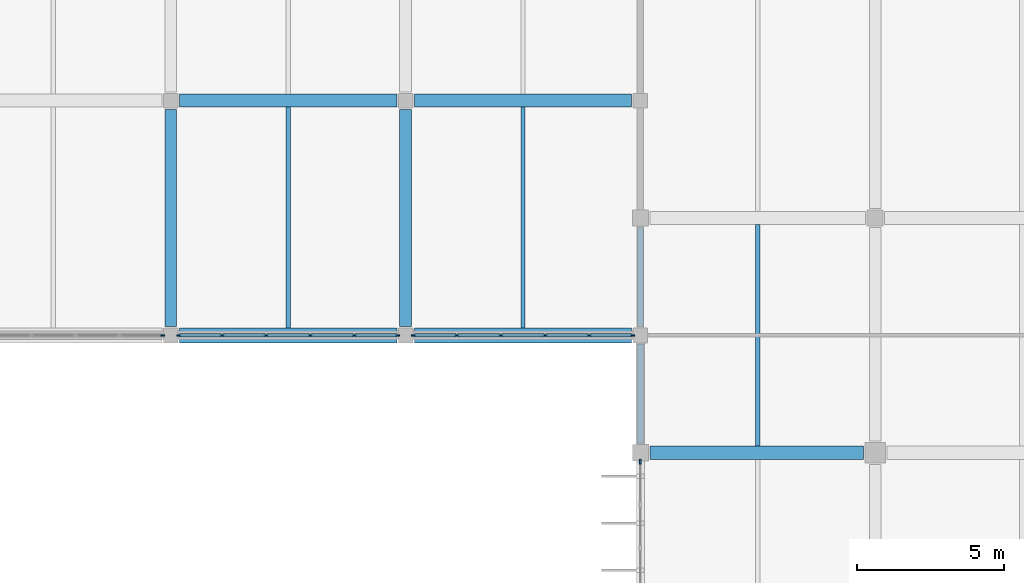
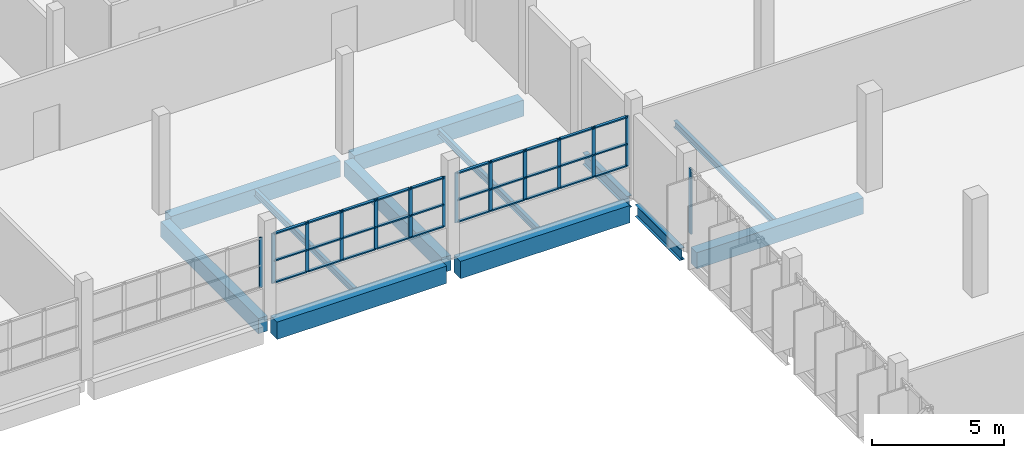
# One storey, part 47 of 93: 44 members, 12 beams, 4 elements without a shape of their own.
"""IFC4 building model written with IfcOpenShell, lengths in metres."""

from ifc_helpers import new_model, si_unit, direction, frame, origin, origin_2d, place, context, subcontext, project, spatial, rectangle, i_section, extrude, material, layer, layer_set, material_profile, profile_set, type_object, element, aggregate, save


model = new_model("IFC4")

# Units and contexts
model_context = context("Model", 3, precision=1e-05, world=origin(), true_north=direction((0.0, 1.0)))
body_context = subcontext(model_context, "Body", "Model", "MODEL_VIEW")
ifc_project = project(units=[si_unit("LENGTHUNIT", "METRE"), si_unit("AREAUNIT", "SQUARE_METRE"), si_unit("VOLUMEUNIT", "CUBIC_METRE"), si_unit("PLANEANGLEUNIT", "RADIAN"), si_unit("MASSUNIT", "GRAM", prefix="KILO")], contexts=[model_context])

# Site, building, storey
site_placement = place(None, origin())
site = spatial("IfcSite", under=ifc_project, at=site_placement, CompositionType="ELEMENT")
building_placement = place(site_placement, origin())
building = spatial("IfcBuilding", under=site, at=building_placement, Name="Drelvana Railside Aquatics Centre", CompositionType="ELEMENT")
storey_placement = place(building_placement, frame((0.0, 0.0, 5.39990234375)))
storey = spatial("IfcBuildingStorey", under=building, at=storey_placement, Name="L01", CompositionType="ELEMENT", Elevation=5.39990234375)

# Curtain wall, member
ifc_material_1 = material(Name="Bronze-anodised aluminium curtain wall", Category="aluminium")
ifc_layer_1 = layer(ifc_material_1, 0.1650390625, Name="Bronze-anodised aluminium curtain wall")
ifc_layer_set_1 = layer_set([ifc_layer_1], Name="Bronze-anodised aluminium curtain wall")
curtain_wall_type_1 = type_object("IfcCurtainWallType", Name="CW-Z5-COURT", PredefinedType="NOTDEFINED", material=ifc_layer_set_1)
curtain_wall_1_placement = place(storey_placement, origin())
curtain_wall_1 = element("IfcCurtainWall", 1, at=curtain_wall_1_placement, inside=storey, type_object=curtain_wall_type_1, Name="Curtain wall CW-05-122", PredefinedType="NOTDEFINED")
ifc_material_2 = material(Name="Bronze-anodised aluminium 6063-T6", Category="aluminium")
ifc_material_profile_1 = material_profile(ifc_material_2, rectangle(XDim=0.06005859375, YDim=0.14990234375, at=origin_2d()), Name="ALU-M 60x150")
ifc_profile_set_1 = profile_set([ifc_material_profile_1], Name="Bronze-anodised aluminium 6063-T6")
member_type_1 = type_object("IfcMemberType", Name="CW-Z5-COURT-MUL", PredefinedType="MULLION", material=ifc_profile_set_1)
member_1_placement = place(storey_placement, frame((127.72607421875, 84.0, 1.39404296875), z_axis=(0.0, 0.0, 1.0), x_axis=(0.0, 1.0, 0.0)))
member_1 = element("IfcMember", 2, at=member_1_placement, type_object=member_type_1, Name="CW-05 mullion 6", PredefinedType="MULLION", context=body_context, shape_type="SweptSolid", body=[
    extrude(rectangle(XDim=0.06005859375, YDim=0.14990234375, at=origin_2d()), origin(), (0.0, 0.0, 1.0), 2.30615234375),
])
aggregate(curtain_wall_1, [member_1])

# Curtain wall, members
curtain_wall_2_placement = place(storey_placement, origin())
curtain_wall_2 = element("IfcCurtainWall", 3, at=curtain_wall_2_placement, inside=storey, type_object=curtain_wall_type_1, Name="Curtain wall CW-05-124", PredefinedType="NOTDEFINED")
member_2_placement = place(storey_placement, frame((128.27392578125, 84.0, 1.39404296875), z_axis=(0.0, 0.0, 1.0), x_axis=(0.0, 1.0, 0.0)))
member_2 = element("IfcMember", 4, at=member_2_placement, type_object=member_type_1, Name="CW-05 mullion 1", PredefinedType="MULLION", context=body_context, shape_type="SweptSolid", body=[
    extrude(rectangle(XDim=0.06005859375, YDim=0.14990234375, at=origin_2d()), origin(), (0.0, 0.0, 1.0), 2.30615234375),
])
member_3_placement = place(storey_placement, frame((129.746337890625, 84.0, 1.39404296875), z_axis=(0.0, 0.0, 1.0), x_axis=(0.0, 1.0, 0.0)))
member_3 = element("IfcMember", 5, at=member_3_placement, type_object=member_type_1, Name="CW-05 mullion 2", PredefinedType="MULLION", context=body_context, shape_type="SweptSolid", body=[
    extrude(rectangle(XDim=0.06005859375, YDim=0.14990234375, at=origin_2d()), origin(), (0.0, 0.0, 1.0), 2.30615234375),
])
member_4_placement = place(storey_placement, frame((131.248779296875, 84.0, 1.39404296875), z_axis=(0.0, 0.0, 1.0), x_axis=(0.0, 1.0, 0.0)))
member_4 = element("IfcMember", 6, at=member_4_placement, type_object=member_type_1, Name="CW-05 mullion 3", PredefinedType="MULLION", context=body_context, shape_type="SweptSolid", body=[
    extrude(rectangle(XDim=0.06005859375, YDim=0.14990234375, at=origin_2d()), origin(), (0.0, 0.0, 1.0), 2.30615234375),
])
member_5_placement = place(storey_placement, frame((132.751220703125, 84.0, 1.39404296875), z_axis=(0.0, 0.0, 1.0), x_axis=(0.0, 1.0, 0.0)))
member_5 = element("IfcMember", 7, at=member_5_placement, type_object=member_type_1, Name="CW-05 mullion 4", PredefinedType="MULLION", context=body_context, shape_type="SweptSolid", body=[
    extrude(rectangle(XDim=0.06005859375, YDim=0.14990234375, at=origin_2d()), origin(), (0.0, 0.0, 1.0), 2.30615234375),
])
member_6_placement = place(storey_placement, frame((134.253662109375, 84.0, 1.39404296875), z_axis=(0.0, 0.0, 1.0), x_axis=(0.0, 1.0, 0.0)))
member_6 = element("IfcMember", 8, at=member_6_placement, type_object=member_type_1, Name="CW-05 mullion 5", PredefinedType="MULLION", context=body_context, shape_type="SweptSolid", body=[
    extrude(rectangle(XDim=0.06005859375, YDim=0.14990234375, at=origin_2d()), origin(), (0.0, 0.0, 1.0), 2.30615234375),
])
member_7_placement = place(storey_placement, frame((135.72607421875, 84.0, 1.39404296875), z_axis=(0.0, 0.0, 1.0), x_axis=(0.0, 1.0, 0.0)))
member_7 = element("IfcMember", 9, at=member_7_placement, type_object=member_type_1, Name="CW-05 mullion 6", PredefinedType="MULLION", context=body_context, shape_type="SweptSolid", body=[
    extrude(rectangle(XDim=0.06005859375, YDim=0.14990234375, at=origin_2d()), origin(), (0.0, 0.0, 1.0), 2.30615234375),
])

curtain_wall_3_placement = place(storey_placement, origin())
curtain_wall_3 = element("IfcCurtainWall", 10, at=curtain_wall_3_placement, inside=storey, type_object=curtain_wall_type_1, Name="Curtain wall CW-05-126", PredefinedType="NOTDEFINED")
member_8_placement = place(storey_placement, frame((136.27392578125, 84.0, 1.39404296875), z_axis=(0.0, 0.0, 1.0), x_axis=(0.0, 1.0, 0.0)))
member_8 = element("IfcMember", 11, at=member_8_placement, type_object=member_type_1, Name="CW-05 mullion 1", PredefinedType="MULLION", context=body_context, shape_type="SweptSolid", body=[
    extrude(rectangle(XDim=0.06005859375, YDim=0.14990234375, at=origin_2d()), origin(), (0.0, 0.0, 1.0), 2.30615234375),
])
member_9_placement = place(storey_placement, frame((137.746337890625, 84.0, 1.39404296875), z_axis=(0.0, 0.0, 1.0), x_axis=(0.0, 1.0, 0.0)))
member_9 = element("IfcMember", 12, at=member_9_placement, type_object=member_type_1, Name="CW-05 mullion 2", PredefinedType="MULLION", context=body_context, shape_type="SweptSolid", body=[
    extrude(rectangle(XDim=0.06005859375, YDim=0.14990234375, at=origin_2d()), origin(), (0.0, 0.0, 1.0), 2.30615234375),
])
member_10_placement = place(storey_placement, frame((139.248779296875, 84.0, 1.39404296875), z_axis=(0.0, 0.0, 1.0), x_axis=(0.0, 1.0, 0.0)))
member_10 = element("IfcMember", 13, at=member_10_placement, type_object=member_type_1, Name="CW-05 mullion 3", PredefinedType="MULLION", context=body_context, shape_type="SweptSolid", body=[
    extrude(rectangle(XDim=0.06005859375, YDim=0.14990234375, at=origin_2d()), origin(), (0.0, 0.0, 1.0), 2.30615234375),
])
member_11_placement = place(storey_placement, frame((140.751220703125, 84.0, 1.39404296875), z_axis=(0.0, 0.0, 1.0), x_axis=(0.0, 1.0, 0.0)))
member_11 = element("IfcMember", 14, at=member_11_placement, type_object=member_type_1, Name="CW-05 mullion 4", PredefinedType="MULLION", context=body_context, shape_type="SweptSolid", body=[
    extrude(rectangle(XDim=0.06005859375, YDim=0.14990234375, at=origin_2d()), origin(), (0.0, 0.0, 1.0), 2.30615234375),
])
member_12_placement = place(storey_placement, frame((142.253662109375, 84.0, 1.39404296875), z_axis=(0.0, 0.0, 1.0), x_axis=(0.0, 1.0, 0.0)))
member_12 = element("IfcMember", 15, at=member_12_placement, type_object=member_type_1, Name="CW-05 mullion 5", PredefinedType="MULLION", context=body_context, shape_type="SweptSolid", body=[
    extrude(rectangle(XDim=0.06005859375, YDim=0.14990234375, at=origin_2d()), origin(), (0.0, 0.0, 1.0), 2.30615234375),
])
member_13_placement = place(storey_placement, frame((143.72607421875, 84.0, 1.39404296875), z_axis=(0.0, 0.0, 1.0), x_axis=(0.0, 1.0, 0.0)))
member_13 = element("IfcMember", 16, at=member_13_placement, type_object=member_type_1, Name="CW-05 mullion 6", PredefinedType="MULLION", context=body_context, shape_type="SweptSolid", body=[
    extrude(rectangle(XDim=0.06005859375, YDim=0.14990234375, at=origin_2d()), origin(), (0.0, 0.0, 1.0), 2.30615234375),
])

# Member
ifc_material_profile_2 = material_profile(ifc_material_2, rectangle(XDim=0.1201171875, YDim=0.06005859375, at=origin_2d()), Name="ALU-T 60x120")
ifc_profile_set_2 = profile_set([ifc_material_profile_2], Name="Bronze-anodised aluminium 6063-T6")
member_type_2 = type_object("IfcMemberType", Name="CW-Z5-COURT-TRN", PredefinedType="USERDEFINED", material=ifc_profile_set_2)
member_14_placement = place(storey_placement, frame((128.299072265625, 84.0, 1.424072265625), z_axis=(1.0, 0.0, 0.0), x_axis=(0.0, 1.0, 0.0)))
member_14 = element("IfcMember", 17, at=member_14_placement, type_object=member_type_2, Name="CW-05 transom 1.1", ObjectType="TRANSOM", PredefinedType="USERDEFINED", context=body_context, shape_type="SweptSolid", body=[
    extrude(rectangle(XDim=0.1201171875, YDim=0.06005859375, at=origin_2d()), origin(), (0.0, 0.0, 1.0), 1.42236328125),
])

member_15_placement = place(storey_placement, frame((128.299072265625, 84.0, 2.43212890625), z_axis=(1.0, 0.0, 0.0), x_axis=(0.0, 1.0, 0.0)))
member_15 = element("IfcMember", 18, at=member_15_placement, type_object=member_type_2, Name="CW-05 transom 1.2", ObjectType="TRANSOM", PredefinedType="USERDEFINED", context=body_context, shape_type="SweptSolid", body=[
    extrude(rectangle(XDim=0.1201171875, YDim=0.06005859375, at=origin_2d()), origin(), (0.0, 0.0, 1.0), 1.42236328125),
])

member_16_placement = place(storey_placement, frame((128.299072265625, 84.0, 3.670166015625), z_axis=(1.0, 0.0, 0.0), x_axis=(0.0, 1.0, 0.0)))
member_16 = element("IfcMember", 19, at=member_16_placement, type_object=member_type_2, Name="CW-05 transom 1.3", ObjectType="TRANSOM", PredefinedType="USERDEFINED", context=body_context, shape_type="SweptSolid", body=[
    extrude(rectangle(XDim=0.1201171875, YDim=0.06005859375, at=origin_2d()), origin(), (0.0, 0.0, 1.0), 1.42236328125),
])

member_17_placement = place(storey_placement, frame((129.771484375, 84.0, 1.424072265625), z_axis=(1.0, 0.0, 0.0), x_axis=(0.0, 1.0, 0.0)))
member_17 = element("IfcMember", 20, at=member_17_placement, type_object=member_type_2, Name="CW-05 transom 2.1", ObjectType="TRANSOM", PredefinedType="USERDEFINED", context=body_context, shape_type="SweptSolid", body=[
    extrude(rectangle(XDim=0.1201171875, YDim=0.06005859375, at=origin_2d()), origin(), (0.0, 0.0, 1.0), 1.452392578125),
])

member_18_placement = place(storey_placement, frame((129.771484375, 84.0, 2.43212890625), z_axis=(1.0, 0.0, 0.0), x_axis=(0.0, 1.0, 0.0)))
member_18 = element("IfcMember", 21, at=member_18_placement, type_object=member_type_2, Name="CW-05 transom 2.2", ObjectType="TRANSOM", PredefinedType="USERDEFINED", context=body_context, shape_type="SweptSolid", body=[
    extrude(rectangle(XDim=0.1201171875, YDim=0.06005859375, at=origin_2d()), origin(), (0.0, 0.0, 1.0), 1.452392578125),
])

member_19_placement = place(storey_placement, frame((129.771484375, 84.0, 3.670166015625), z_axis=(1.0, 0.0, 0.0), x_axis=(0.0, 1.0, 0.0)))
member_19 = element("IfcMember", 22, at=member_19_placement, type_object=member_type_2, Name="CW-05 transom 2.3", ObjectType="TRANSOM", PredefinedType="USERDEFINED", context=body_context, shape_type="SweptSolid", body=[
    extrude(rectangle(XDim=0.1201171875, YDim=0.06005859375, at=origin_2d()), origin(), (0.0, 0.0, 1.0), 1.452392578125),
])

member_20_placement = place(storey_placement, frame((131.273681640625, 84.0, 1.424072265625), z_axis=(1.0, 0.0, 0.0), x_axis=(0.0, 1.0, 0.0)))
member_20 = element("IfcMember", 23, at=member_20_placement, type_object=member_type_2, Name="CW-05 transom 3.1", ObjectType="TRANSOM", PredefinedType="USERDEFINED", context=body_context, shape_type="SweptSolid", body=[
    extrude(rectangle(XDim=0.1201171875, YDim=0.06005859375, at=origin_2d()), origin(), (0.0, 0.0, 1.0), 1.45263671875),
])

member_21_placement = place(storey_placement, frame((131.273681640625, 84.0, 2.43212890625), z_axis=(1.0, 0.0, 0.0), x_axis=(0.0, 1.0, 0.0)))
member_21 = element("IfcMember", 24, at=member_21_placement, type_object=member_type_2, Name="CW-05 transom 3.2", ObjectType="TRANSOM", PredefinedType="USERDEFINED", context=body_context, shape_type="SweptSolid", body=[
    extrude(rectangle(XDim=0.1201171875, YDim=0.06005859375, at=origin_2d()), origin(), (0.0, 0.0, 1.0), 1.45263671875),
])

member_22_placement = place(storey_placement, frame((131.273681640625, 84.0, 3.670166015625), z_axis=(1.0, 0.0, 0.0), x_axis=(0.0, 1.0, 0.0)))
member_22 = element("IfcMember", 25, at=member_22_placement, type_object=member_type_2, Name="CW-05 transom 3.3", ObjectType="TRANSOM", PredefinedType="USERDEFINED", context=body_context, shape_type="SweptSolid", body=[
    extrude(rectangle(XDim=0.1201171875, YDim=0.06005859375, at=origin_2d()), origin(), (0.0, 0.0, 1.0), 1.45263671875),
])

member_23_placement = place(storey_placement, frame((132.776123046875, 84.0, 1.424072265625), z_axis=(1.0, 0.0, 0.0), x_axis=(0.0, 1.0, 0.0)))
member_23 = element("IfcMember", 26, at=member_23_placement, type_object=member_type_2, Name="CW-05 transom 4.1", ObjectType="TRANSOM", PredefinedType="USERDEFINED", context=body_context, shape_type="SweptSolid", body=[
    extrude(rectangle(XDim=0.1201171875, YDim=0.06005859375, at=origin_2d()), origin(), (0.0, 0.0, 1.0), 1.452392578125),
])

member_24_placement = place(storey_placement, frame((132.776123046875, 84.0, 2.43212890625), z_axis=(1.0, 0.0, 0.0), x_axis=(0.0, 1.0, 0.0)))
member_24 = element("IfcMember", 27, at=member_24_placement, type_object=member_type_2, Name="CW-05 transom 4.2", ObjectType="TRANSOM", PredefinedType="USERDEFINED", context=body_context, shape_type="SweptSolid", body=[
    extrude(rectangle(XDim=0.1201171875, YDim=0.06005859375, at=origin_2d()), origin(), (0.0, 0.0, 1.0), 1.452392578125),
])

member_25_placement = place(storey_placement, frame((132.776123046875, 84.0, 3.670166015625), z_axis=(1.0, 0.0, 0.0), x_axis=(0.0, 1.0, 0.0)))
member_25 = element("IfcMember", 28, at=member_25_placement, type_object=member_type_2, Name="CW-05 transom 4.3", ObjectType="TRANSOM", PredefinedType="USERDEFINED", context=body_context, shape_type="SweptSolid", body=[
    extrude(rectangle(XDim=0.1201171875, YDim=0.06005859375, at=origin_2d()), origin(), (0.0, 0.0, 1.0), 1.452392578125),
])

member_26_placement = place(storey_placement, frame((134.278564453125, 84.0, 1.424072265625), z_axis=(1.0, 0.0, 0.0), x_axis=(0.0, 1.0, 0.0)))
member_26 = element("IfcMember", 29, at=member_26_placement, type_object=member_type_2, Name="CW-05 transom 5.1", ObjectType="TRANSOM", PredefinedType="USERDEFINED", context=body_context, shape_type="SweptSolid", body=[
    extrude(rectangle(XDim=0.1201171875, YDim=0.06005859375, at=origin_2d()), origin(), (0.0, 0.0, 1.0), 1.42236328125),
])

member_27_placement = place(storey_placement, frame((134.278564453125, 84.0, 2.43212890625), z_axis=(1.0, 0.0, 0.0), x_axis=(0.0, 1.0, 0.0)))
member_27 = element("IfcMember", 30, at=member_27_placement, type_object=member_type_2, Name="CW-05 transom 5.2", ObjectType="TRANSOM", PredefinedType="USERDEFINED", context=body_context, shape_type="SweptSolid", body=[
    extrude(rectangle(XDim=0.1201171875, YDim=0.06005859375, at=origin_2d()), origin(), (0.0, 0.0, 1.0), 1.42236328125),
])

member_28_placement = place(storey_placement, frame((134.278564453125, 84.0, 3.670166015625), z_axis=(1.0, 0.0, 0.0), x_axis=(0.0, 1.0, 0.0)))
member_28 = element("IfcMember", 31, at=member_28_placement, type_object=member_type_2, Name="CW-05 transom 5.3", ObjectType="TRANSOM", PredefinedType="USERDEFINED", context=body_context, shape_type="SweptSolid", body=[
    extrude(rectangle(XDim=0.1201171875, YDim=0.06005859375, at=origin_2d()), origin(), (0.0, 0.0, 1.0), 1.42236328125),
])

aggregate(curtain_wall_2, [member_2, member_3, member_4, member_5, member_6, member_7, member_14, member_15, member_16, member_17, member_18, member_19, member_20, member_21, member_22, member_23, member_24, member_25, member_26, member_27, member_28])

member_29_placement = place(storey_placement, frame((136.299072265625, 84.0, 1.424072265625), z_axis=(1.0, 0.0, 0.0), x_axis=(0.0, 1.0, 0.0)))
member_29 = element("IfcMember", 32, at=member_29_placement, type_object=member_type_2, Name="CW-05 transom 1.1", ObjectType="TRANSOM", PredefinedType="USERDEFINED", context=body_context, shape_type="SweptSolid", body=[
    extrude(rectangle(XDim=0.1201171875, YDim=0.06005859375, at=origin_2d()), origin(), (0.0, 0.0, 1.0), 1.42236328125),
])

member_30_placement = place(storey_placement, frame((136.299072265625, 84.0, 2.43212890625), z_axis=(1.0, 0.0, 0.0), x_axis=(0.0, 1.0, 0.0)))
member_30 = element("IfcMember", 33, at=member_30_placement, type_object=member_type_2, Name="CW-05 transom 1.2", ObjectType="TRANSOM", PredefinedType="USERDEFINED", context=body_context, shape_type="SweptSolid", body=[
    extrude(rectangle(XDim=0.1201171875, YDim=0.06005859375, at=origin_2d()), origin(), (0.0, 0.0, 1.0), 1.42236328125),
])

member_31_placement = place(storey_placement, frame((136.299072265625, 84.0, 3.670166015625), z_axis=(1.0, 0.0, 0.0), x_axis=(0.0, 1.0, 0.0)))
member_31 = element("IfcMember", 34, at=member_31_placement, type_object=member_type_2, Name="CW-05 transom 1.3", ObjectType="TRANSOM", PredefinedType="USERDEFINED", context=body_context, shape_type="SweptSolid", body=[
    extrude(rectangle(XDim=0.1201171875, YDim=0.06005859375, at=origin_2d()), origin(), (0.0, 0.0, 1.0), 1.42236328125),
])

member_32_placement = place(storey_placement, frame((137.771484375, 84.0, 1.424072265625), z_axis=(1.0, 0.0, 0.0), x_axis=(0.0, 1.0, 0.0)))
member_32 = element("IfcMember", 35, at=member_32_placement, type_object=member_type_2, Name="CW-05 transom 2.1", ObjectType="TRANSOM", PredefinedType="USERDEFINED", context=body_context, shape_type="SweptSolid", body=[
    extrude(rectangle(XDim=0.1201171875, YDim=0.06005859375, at=origin_2d()), origin(), (0.0, 0.0, 1.0), 1.452392578125),
])

member_33_placement = place(storey_placement, frame((137.771484375, 84.0, 2.43212890625), z_axis=(1.0, 0.0, 0.0), x_axis=(0.0, 1.0, 0.0)))
member_33 = element("IfcMember", 36, at=member_33_placement, type_object=member_type_2, Name="CW-05 transom 2.2", ObjectType="TRANSOM", PredefinedType="USERDEFINED", context=body_context, shape_type="SweptSolid", body=[
    extrude(rectangle(XDim=0.1201171875, YDim=0.06005859375, at=origin_2d()), origin(), (0.0, 0.0, 1.0), 1.452392578125),
])

member_34_placement = place(storey_placement, frame((137.771484375, 84.0, 3.670166015625), z_axis=(1.0, 0.0, 0.0), x_axis=(0.0, 1.0, 0.0)))
member_34 = element("IfcMember", 37, at=member_34_placement, type_object=member_type_2, Name="CW-05 transom 2.3", ObjectType="TRANSOM", PredefinedType="USERDEFINED", context=body_context, shape_type="SweptSolid", body=[
    extrude(rectangle(XDim=0.1201171875, YDim=0.06005859375, at=origin_2d()), origin(), (0.0, 0.0, 1.0), 1.452392578125),
])

member_35_placement = place(storey_placement, frame((139.273681640625, 84.0, 1.424072265625), z_axis=(1.0, 0.0, 0.0), x_axis=(0.0, 1.0, 0.0)))
member_35 = element("IfcMember", 38, at=member_35_placement, type_object=member_type_2, Name="CW-05 transom 3.1", ObjectType="TRANSOM", PredefinedType="USERDEFINED", context=body_context, shape_type="SweptSolid", body=[
    extrude(rectangle(XDim=0.1201171875, YDim=0.06005859375, at=origin_2d()), origin(), (0.0, 0.0, 1.0), 1.45263671875),
])

member_36_placement = place(storey_placement, frame((139.273681640625, 84.0, 2.43212890625), z_axis=(1.0, 0.0, 0.0), x_axis=(0.0, 1.0, 0.0)))
member_36 = element("IfcMember", 39, at=member_36_placement, type_object=member_type_2, Name="CW-05 transom 3.2", ObjectType="TRANSOM", PredefinedType="USERDEFINED", context=body_context, shape_type="SweptSolid", body=[
    extrude(rectangle(XDim=0.1201171875, YDim=0.06005859375, at=origin_2d()), origin(), (0.0, 0.0, 1.0), 1.45263671875),
])

member_37_placement = place(storey_placement, frame((139.273681640625, 84.0, 3.670166015625), z_axis=(1.0, 0.0, 0.0), x_axis=(0.0, 1.0, 0.0)))
member_37 = element("IfcMember", 40, at=member_37_placement, type_object=member_type_2, Name="CW-05 transom 3.3", ObjectType="TRANSOM", PredefinedType="USERDEFINED", context=body_context, shape_type="SweptSolid", body=[
    extrude(rectangle(XDim=0.1201171875, YDim=0.06005859375, at=origin_2d()), origin(), (0.0, 0.0, 1.0), 1.45263671875),
])

member_38_placement = place(storey_placement, frame((140.776123046875, 84.0, 1.424072265625), z_axis=(1.0, 0.0, 0.0), x_axis=(0.0, 1.0, 0.0)))
member_38 = element("IfcMember", 41, at=member_38_placement, type_object=member_type_2, Name="CW-05 transom 4.1", ObjectType="TRANSOM", PredefinedType="USERDEFINED", context=body_context, shape_type="SweptSolid", body=[
    extrude(rectangle(XDim=0.1201171875, YDim=0.06005859375, at=origin_2d()), origin(), (0.0, 0.0, 1.0), 1.452392578125),
])

member_39_placement = place(storey_placement, frame((140.776123046875, 84.0, 2.43212890625), z_axis=(1.0, 0.0, 0.0), x_axis=(0.0, 1.0, 0.0)))
member_39 = element("IfcMember", 42, at=member_39_placement, type_object=member_type_2, Name="CW-05 transom 4.2", ObjectType="TRANSOM", PredefinedType="USERDEFINED", context=body_context, shape_type="SweptSolid", body=[
    extrude(rectangle(XDim=0.1201171875, YDim=0.06005859375, at=origin_2d()), origin(), (0.0, 0.0, 1.0), 1.452392578125),
])

member_40_placement = place(storey_placement, frame((140.776123046875, 84.0, 3.670166015625), z_axis=(1.0, 0.0, 0.0), x_axis=(0.0, 1.0, 0.0)))
member_40 = element("IfcMember", 43, at=member_40_placement, type_object=member_type_2, Name="CW-05 transom 4.3", ObjectType="TRANSOM", PredefinedType="USERDEFINED", context=body_context, shape_type="SweptSolid", body=[
    extrude(rectangle(XDim=0.1201171875, YDim=0.06005859375, at=origin_2d()), origin(), (0.0, 0.0, 1.0), 1.452392578125),
])

member_41_placement = place(storey_placement, frame((142.278564453125, 84.0, 1.424072265625), z_axis=(1.0, 0.0, 0.0), x_axis=(0.0, 1.0, 0.0)))
member_41 = element("IfcMember", 44, at=member_41_placement, type_object=member_type_2, Name="CW-05 transom 5.1", ObjectType="TRANSOM", PredefinedType="USERDEFINED", context=body_context, shape_type="SweptSolid", body=[
    extrude(rectangle(XDim=0.1201171875, YDim=0.06005859375, at=origin_2d()), origin(), (0.0, 0.0, 1.0), 1.42236328125),
])

member_42_placement = place(storey_placement, frame((142.278564453125, 84.0, 2.43212890625), z_axis=(1.0, 0.0, 0.0), x_axis=(0.0, 1.0, 0.0)))
member_42 = element("IfcMember", 45, at=member_42_placement, type_object=member_type_2, Name="CW-05 transom 5.2", ObjectType="TRANSOM", PredefinedType="USERDEFINED", context=body_context, shape_type="SweptSolid", body=[
    extrude(rectangle(XDim=0.1201171875, YDim=0.06005859375, at=origin_2d()), origin(), (0.0, 0.0, 1.0), 1.42236328125),
])

member_43_placement = place(storey_placement, frame((142.278564453125, 84.0, 3.670166015625), z_axis=(1.0, 0.0, 0.0), x_axis=(0.0, 1.0, 0.0)))
member_43 = element("IfcMember", 46, at=member_43_placement, type_object=member_type_2, Name="CW-05 transom 5.3", ObjectType="TRANSOM", PredefinedType="USERDEFINED", context=body_context, shape_type="SweptSolid", body=[
    extrude(rectangle(XDim=0.1201171875, YDim=0.06005859375, at=origin_2d()), origin(), (0.0, 0.0, 1.0), 1.42236328125),
])

aggregate(curtain_wall_3, [member_8, member_9, member_10, member_11, member_12, member_13, member_29, member_30, member_31, member_32, member_33, member_34, member_35, member_36, member_37, member_38, member_39, member_40, member_41, member_42, member_43])

# Curtain wall, member
ifc_layer_2 = layer(ifc_material_1, 0.175048828125, Name="Bronze-anodised aluminium curtain wall")
ifc_layer_set_2 = layer_set([ifc_layer_2], Name="Bronze-anodised aluminium curtain wall")
curtain_wall_type_2 = type_object("IfcCurtainWallType", Name="CW-Z6-WING", PredefinedType="NOTDEFINED", material=ifc_layer_set_2)
curtain_wall_4_placement = place(storey_placement, origin())
curtain_wall_4 = element("IfcCurtainWall", 47, at=curtain_wall_4_placement, inside=storey, type_object=curtain_wall_type_2, Name="Curtain wall CW-06-160", PredefinedType="NOTDEFINED")
ifc_material_profile_3 = material_profile(ifc_material_2, rectangle(XDim=0.06494140625, YDim=0.175048828125, at=origin_2d()), Name="ALU-M 65x175")
ifc_profile_set_3 = profile_set([ifc_material_profile_3], Name="Bronze-anodised aluminium 6063-T6")
member_type_3 = type_object("IfcMemberType", Name="CW-Z6-WING-MUL", PredefinedType="MULLION", material=ifc_profile_set_3)
member_44_placement = place(storey_placement, frame((144.0, 79.698486328125, 0.794189453125), z_axis=(0.0, 0.0, 1.0), x_axis=(-1.0, 0.0, 0.0)))
member_44 = element("IfcMember", 48, at=member_44_placement, type_object=member_type_3, Name="CW-06 mullion 6", PredefinedType="MULLION", context=body_context, shape_type="SweptSolid", body=[
    extrude(rectangle(XDim=0.06494140625, YDim=0.175048828125, at=origin_2d()), origin(), (0.0, 0.0, 1.0), 3.005859375),
])
aggregate(curtain_wall_4, [member_44])

# Beams
ifc_material_3 = material(Name="Concrete C40/50", Category="concrete")
ifc_material_profile_4 = material_profile(ifc_material_3, rectangle(XDim=0.39990234375, YDim=0.699951171875, at=origin_2d()), Name="RC 400x700")
ifc_profile_set_4 = profile_set([ifc_material_profile_4], Name="Concrete C40/50")
beam_type_1 = type_object("IfcBeamType", Name="STR-BM-BM-03-RC-400x700", PredefinedType="BEAM", material=ifc_profile_set_4)
for number, where, z_axis, x_axis, name in (
    (49, (128.0, 84.300048828125, -0.625), (0.0, 1.0, 0.0), (-1.0, 0.0, 0.0), "Girder BM-03 (L01)"),
    (50, (136.0, 84.300048828125, -0.625), (0.0, 1.0, 0.0), (-1.0, 0.0, 0.0), "Girder BM-03 (L01)"),
):
    element("IfcBeam", number, at=place(storey_placement, frame(where, z_axis=z_axis, x_axis=x_axis)), inside=storey, type_object=beam_type_1, Name=name, PredefinedType="BEAM", context=body_context, shape_type="SweptSolid", body=[
        extrude(rectangle(XDim=0.39990234375, YDim=0.699951171875, at=origin_2d()), origin(), (0.0, 0.0, 1.0), 7.39990234375),
    ])
ifc_material_profile_5 = material_profile(ifc_material_3, rectangle(XDim=0.449951171875, YDim=0.75, at=origin_2d()), Name="RC 450x750")
ifc_profile_set_5 = profile_set([ifc_material_profile_5], Name="Concrete C40/50")
beam_type_2 = type_object("IfcBeamType", Name="STR-BM-BM-04-RC-450x750", PredefinedType="BEAM", material=ifc_profile_set_5)
beam_1_placement = place(storey_placement, frame((144.324951171875, 80.0, -0.64990234375), z_axis=(1.0, 0.0, 0.0), x_axis=(0.0, 1.0, 0.0)))
element("IfcBeam", 51, at=beam_1_placement, inside=storey, type_object=beam_type_2, Name="Girder BM-04 (L01)", PredefinedType="BEAM", context=body_context, shape_type="SweptSolid", body=[
    extrude(rectangle(XDim=0.449951171875, YDim=0.75, at=origin_2d()), origin(), (0.0, 0.0, 1.0), 7.275146484375),
])
for number, where, z_axis, x_axis, name in (
    (52, (128.300048828125, 92.0, -0.64990234375), (1.0, 0.0, 0.0), (0.0, 1.0, 0.0), "Girder BM-04 (L01)"),
    (53, (136.300048828125, 92.0, -0.64990234375), (1.0, 0.0, 0.0), (0.0, 1.0, 0.0), "Girder BM-04 (L01)"),
):
    element("IfcBeam", number, at=place(storey_placement, frame(where, z_axis=z_axis, x_axis=x_axis)), inside=storey, type_object=beam_type_2, Name=name, PredefinedType="BEAM", context=body_context, shape_type="SweptSolid", body=[
        extrude(rectangle(XDim=0.449951171875, YDim=0.75, at=origin_2d()), origin(), (0.0, 0.0, 1.0), 7.39990234375),
    ])
ifc_material_profile_6 = material_profile(ifc_material_3, rectangle(XDim=0.5, YDim=0.800048828125, at=origin_2d()), Name="RC 500x800")
ifc_profile_set_6 = profile_set([ifc_material_profile_6], Name="Concrete C40/50")
beam_type_3 = type_object("IfcBeamType", Name="STR-BM-BM-06-RC-500x800", PredefinedType="SPANDREL", material=ifc_profile_set_6)
for number, where, z_axis, x_axis, name in (
    (54, (128.300048828125, 84.0, -0.6748046875), (1.0, 0.0, 0.0), (0.0, 1.0, 0.0), "Girder BM-06 (L01)"),
    (55, (136.300048828125, 84.0, -0.6748046875), (1.0, 0.0, 0.0), (0.0, 1.0, 0.0), "Girder BM-06 (L01)"),
):
    element("IfcBeam", number, at=place(storey_placement, frame(where, z_axis=z_axis, x_axis=x_axis)), inside=storey, type_object=beam_type_3, Name=name, PredefinedType="SPANDREL", context=body_context, shape_type="SweptSolid", body=[
        extrude(rectangle(XDim=0.5, YDim=0.800048828125, at=origin_2d()), origin(), (0.0, 0.0, 1.0), 7.39990234375),
    ])
ifc_material_4 = material(Name="Structural steel S355", Category="steel")
ifc_material_profile_7 = material_profile(ifc_material_4, i_section(OverallWidth=0.2099609375, OverallDepth=0.550048828125, WebThickness=0.010986328125, FlangeThickness=0.01708984375, at=origin_2d()), Name="IPE 550")
ifc_profile_set_7 = profile_set([ifc_material_profile_7], Name="Structural steel S355")
beam_type_4 = type_object("IfcBeamType", Name="STR-SBM-SB-04-IPE-550", PredefinedType="SPANDREL", material=ifc_profile_set_7)
for number, where, z_axis, x_axis, name in (
    (56, (144.0, 80.324951171875, -0.5498046875), (0.0, 1.0, 0.0), (-1.0, 0.0, 0.0), "Girder SB-04 (L01)"),
    (57, (144.0, 84.300048828125, -0.5498046875), (0.0, 1.0, 0.0), (-1.0, 0.0, 0.0), "Girder SB-04 (L01)"),
):
    element("IfcBeam", number, at=place(storey_placement, frame(where, z_axis=z_axis, x_axis=x_axis)), inside=storey, type_object=beam_type_4, Name=name, PredefinedType="SPANDREL", context=body_context, shape_type="SweptSolid", body=[
        extrude(i_section(OverallWidth=0.2099609375, OverallDepth=0.550048828125, WebThickness=0.010986328125, FlangeThickness=0.01708984375, at=origin_2d()), origin(), (0.0, 0.0, 1.0), 3.375),
    ])
ifc_material_profile_8 = material_profile(ifc_material_4, i_section(OverallWidth=0.14990234375, OverallDepth=0.300048828125, WebThickness=0.007080078125, FlangeThickness=0.0107421875, at=origin_2d()), Name="IPE 300")
ifc_profile_set_8 = profile_set([ifc_material_profile_8], Name="Structural steel S355")
beam_type_5 = type_object("IfcBeamType", Name="STR-SBM-SJ-03-IPE-300", PredefinedType="JOIST", material=ifc_profile_set_8)
for number, where, z_axis, x_axis, name in (
    (58, (132.0, 84.25, -0.4248046875), (0.0, 1.0, 0.0), (-1.0, 0.0, 0.0), "Secondary floor joist SJ-03 (L01)"),
    (59, (140.0, 84.25, -0.4248046875), (0.0, 1.0, 0.0), (-1.0, 0.0, 0.0), "Secondary floor joist SJ-03 (L01)"),
):
    element("IfcBeam", number, at=place(storey_placement, frame(where, z_axis=z_axis, x_axis=x_axis)), inside=storey, type_object=beam_type_5, Name=name, PredefinedType="JOIST", context=body_context, shape_type="SweptSolid", body=[
        extrude(i_section(OverallWidth=0.14990234375, OverallDepth=0.300048828125, WebThickness=0.007080078125, FlangeThickness=0.0107421875, at=origin_2d()), origin(), (0.0, 0.0, 1.0), 7.52490234375),
    ])
beam_2_placement = place(storey_placement, frame((148.0, 80.22509765625, -0.4248046875), z_axis=(0.0, 1.0, 0.0), x_axis=(-1.0, 0.0, 0.0)))
element("IfcBeam", 60, at=beam_2_placement, inside=storey, type_object=beam_type_5, Name="Secondary floor joist SJ-03 (L01)", PredefinedType="JOIST", context=body_context, shape_type="SweptSolid", body=[
    extrude(i_section(OverallWidth=0.14990234375, OverallDepth=0.300048828125, WebThickness=0.007080078125, FlangeThickness=0.0107421875, at=origin_2d()), origin(), (0.0, 0.0, 1.0), 7.5498046875),
])

save(model, "model.ifc")
